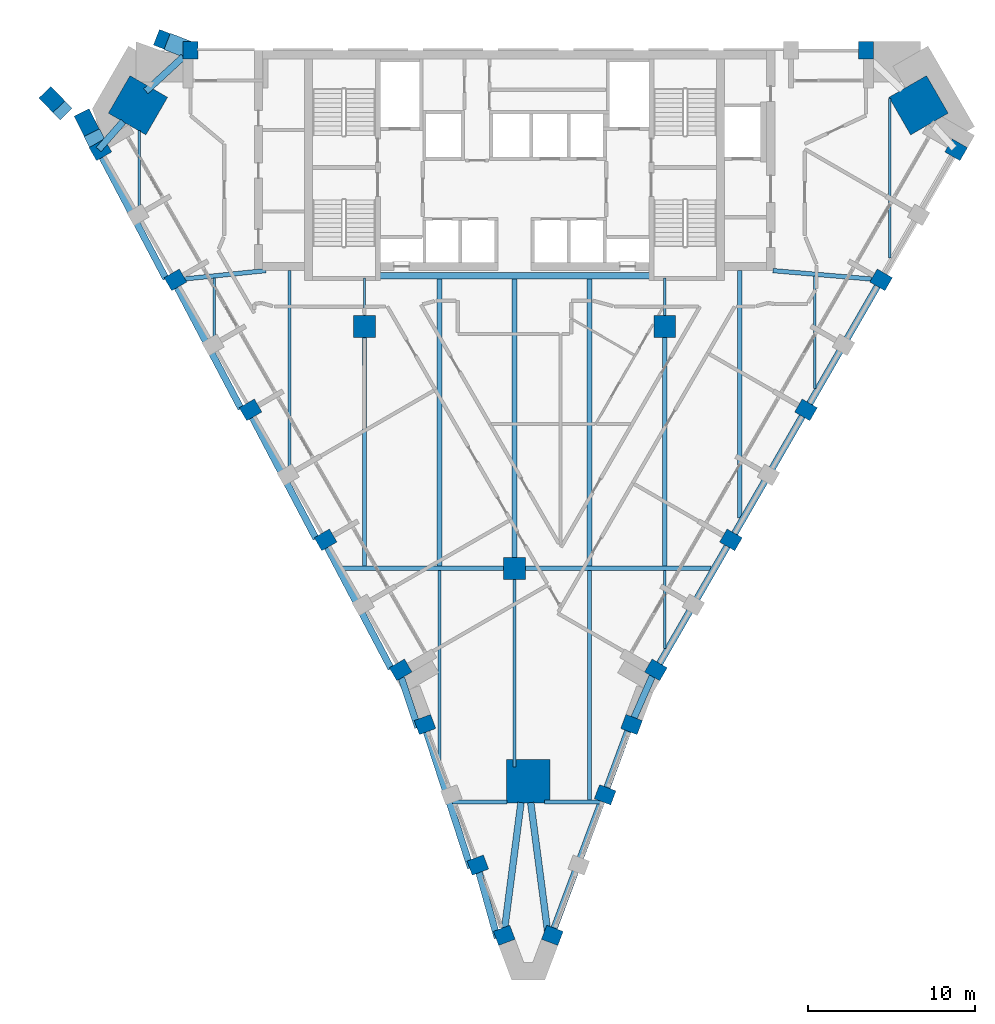
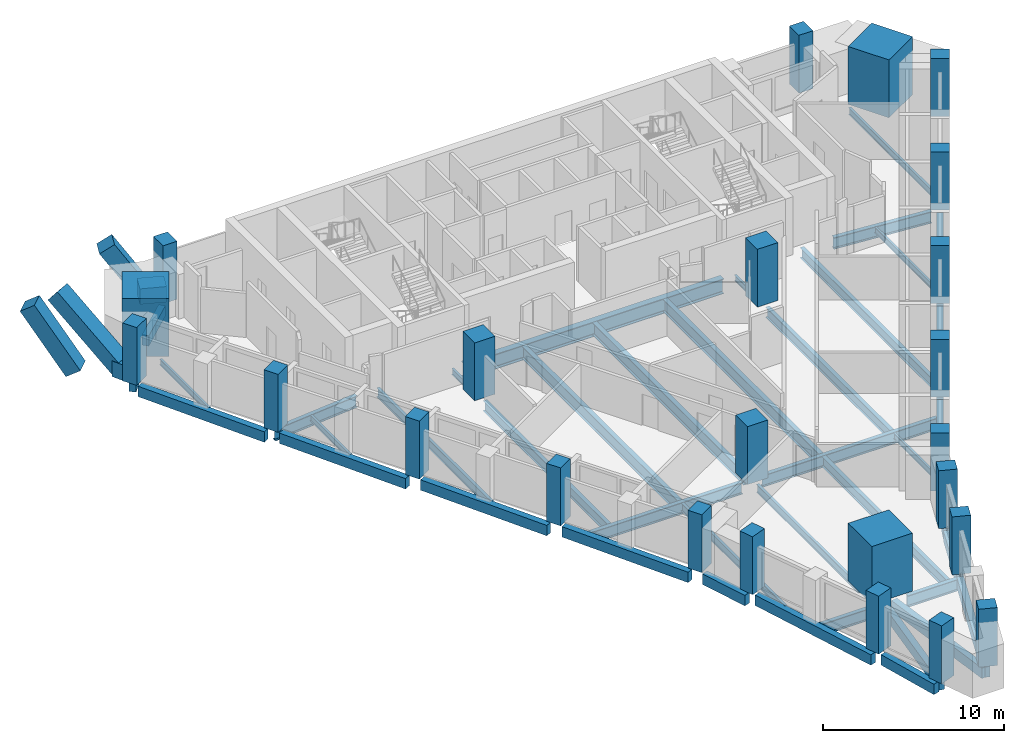
# One storey, part 1 of 10: 43 beams, 27 columns.
"""IFC4 building model written with IfcOpenShell, lengths in metres."""

from ifc_helpers import new_model, si_unit, direction, frame, origin, origin_2d, place, context, subcontext, project, spatial, rectangle, i_section, extrude, material, material_profile, profile_set, type_object, element, save


model = new_model("IFC4")

# Units and contexts
model_context = context("Model", 3, precision=1e-05, world=origin(), true_north=direction((0.0, 1.0)))
body_context = subcontext(model_context, "Body", "Model", "MODEL_VIEW")
ifc_project = project(units=[si_unit("LENGTHUNIT", "METRE"), si_unit("AREAUNIT", "SQUARE_METRE"), si_unit("VOLUMEUNIT", "CUBIC_METRE"), si_unit("PLANEANGLEUNIT", "RADIAN"), si_unit("MASSUNIT", "GRAM", prefix="KILO")], contexts=[model_context])

# Site, building, storey
site_placement = place(None, origin())
site = spatial("IfcSite", under=ifc_project, at=site_placement, CompositionType="ELEMENT")
building_placement = place(site_placement, origin())
building = spatial("IfcBuilding", under=site, at=building_placement, Name="Calabash Gate Tower", CompositionType="ELEMENT")
storey_placement = place(building_placement, frame((0.0, 0.0, 183.60009765625)))
storey = spatial("IfcBuildingStorey", under=building, at=storey_placement, Name="L43", CompositionType="ELEMENT", Elevation=183.60009765625)

# Columns
ifc_material_1 = material(Name="Concrete C70/85", Category="concrete")
ifc_material_profile_1 = material_profile(ifc_material_1, rectangle(XDim=1.300048828125, YDim=1.300048828125, at=origin_2d()))
ifc_profile_set_1 = profile_set([ifc_material_profile_1], Name="Concrete C70/85")
column_type_1 = type_object("IfcColumnType", Name="Interior column RC 1300x1300 Concrete C70/85", PredefinedType="COLUMN", material=ifc_profile_set_1)
for number, where, z_axis, x_axis, name in (
    (1, (-9.0, 2.5, 0.0), (0.0, 0.0, 1.0), (1.0, 0.0, 0.0), "Interior column L43 I0"),
    (2, (9.0, 2.5, 0.0), (0.0, 0.0, 1.0), (1.0, 0.0, 0.0), "Interior column L43 I1"),
    (3, (0.0, -12.0, 0.0), (0.0, 0.0, 1.0), (1.0, 0.0, 0.0), "Interior column L43 I2"),
):
    element("IfcColumn", number, at=place(storey_placement, frame(where, z_axis=z_axis, x_axis=x_axis)), inside=storey, type_object=column_type_1, Name=name, PredefinedType="COLUMN", context=body_context, shape_type="SweptSolid", body=[
        extrude(rectangle(XDim=1.300048828125, YDim=1.300048828125, at=origin_2d()), origin(), (0.0, 0.0, 1.0), 3.89990234375),
    ])
ifc_material_2 = material(Name="Concrete C70/85", Category="concrete")
ifc_material_profile_2 = material_profile(ifc_material_2, rectangle(XDim=2.60009765625, YDim=2.60009765625, at=origin_2d()))
ifc_profile_set_2 = profile_set([ifc_material_profile_2], Name="Concrete C70/85")
column_type_2 = type_object("IfcColumnType", Name="Mega column RC 2600x2600 Concrete C70/85", PredefinedType="COLUMN", material=ifc_profile_set_2)
for number, where, z_axis, x_axis, name in (
    (4, (-22.577880859375, 15.76806640625, 0.0), (0.0, 0.0, 1.0), (0.866025421238, -0.49999996977, 0.0), "Mega column L43 NW"),
    (5, (24.221923828125, 15.76806640625, 0.0), (0.0, 0.0, 1.0), (-0.866025421238, -0.49999996977, 0.0), "Mega column L43 NE"),
    (6, (0.822021484375, -24.762939453125, 0.0), (0.0, 0.0, 1.0), (0.0, 1.0, 0.0), "Mega column L43 S"),
):
    element("IfcColumn", number, at=place(storey_placement, frame(where, z_axis=z_axis, x_axis=x_axis)), inside=storey, type_object=column_type_2, Name=name, PredefinedType="COLUMN", context=body_context, shape_type="SweptSolid", body=[
        extrude(rectangle(XDim=2.60009765625, YDim=2.60009765625, at=origin_2d()), origin(), (0.0, 0.0, 1.0), 3.89990234375),
    ])
ifc_material_3 = material(Name="Concrete C60/75", Category="concrete")
ifc_material_profile_3 = material_profile(ifc_material_3, rectangle(XDim=0.89990234375, YDim=1.050048828125, at=origin_2d()))
ifc_profile_set_3 = profile_set([ifc_material_profile_3], Name="Concrete C60/75")
column_type_3 = type_object("IfcColumnType", Name="Perimeter column RC 900x1050 Concrete C60/75", PredefinedType="COLUMN", material=ifc_profile_set_3)
for number, where, z_axis, x_axis, name in (
    (7, (-24.827880859375, 13.096923828125, 0.0), (0.0, 0.0, 1.0), (0.5, -0.866025403784, 0.0), "Perimeter column L43 P20"),
    (8, (-20.327880859375, 5.300048828125, 0.0), (0.0, 0.0, 1.0), (0.5, -0.866025403784, 0.0), "Perimeter column L43 P00"),
    (9, (-15.827880859375, -2.493896484375, 0.0), (0.0, 0.0, 1.0), (0.5, -0.866025403784, 0.0), "Perimeter column L43 P01"),
    (10, (-11.327880859375, -10.2880859375, 0.0), (0.0, 0.0, 1.0), (0.5, -0.866025403784, 0.0), "Perimeter column L43 P02"),
    (11, (-6.827880859375, -18.08203125, 0.0), (0.0, 0.0, 1.0), (0.5, -0.866025403784, 0.0), "Perimeter column L43 P03"),
    (12, (-5.3701171875, -21.35888671875, 0.0), (0.0, 0.0, 1.0), (0.351822500991, -0.936066732555, 0.0), "Perimeter column L43 P25"),
    (13, (-2.202880859375, -29.783935546875, 0.0), (0.0, 0.0, 1.0), (0.351822500991, -0.936066732555, 0.0), "Perimeter column L43 P26"),
    (14, (-0.6201171875, -33.99609375, 0.0), (0.0, 0.0, 1.0), (0.351822500991, -0.936066732555, 0.0), "Perimeter column L43 P27"),
    (15, (2.263916015625, -33.99609375, 0.0), (0.0, 0.0, 1.0), (0.351822451979, 0.936066750977, 0.0), "Perimeter column L43 P28"),
    (16, (5.429931640625, -25.571044921875, 0.0), (0.0, 0.0, 1.0), (0.351822451979, 0.936066750977, 0.0), "Perimeter column L43 P08"),
    (17, (7.012939453125, -21.35888671875, 0.0), (0.0, 0.0, 1.0), (0.351822451979, 0.936066750977, 0.0), "Perimeter column L43 P29"),
    (18, (8.471923828125, -18.08203125, 0.0), (0.0, 0.0, 1.0), (0.5, 0.866025403784, 0.0), "Perimeter column L43 P09"),
    (19, (12.971923828125, -10.2880859375, 0.0), (0.0, 0.0, 1.0), (0.5, 0.866025403784, 0.0), "Perimeter column L43 P10"),
    (20, (17.471923828125, -2.493896484375, 0.0), (0.0, 0.0, 1.0), (0.5, 0.866025403784, 0.0), "Perimeter column L43 P11"),
    (21, (21.971923828125, 5.300048828125, 0.0), (0.0, 0.0, 1.0), (0.5, 0.866025403784, 0.0), "Perimeter column L43 P12"),
    (22, (26.471923828125, 13.096923828125, 0.0), (0.0, 0.0, 1.0), (0.5, 0.866025403784, 0.0), "Perimeter column L43 P13"),
    (23, (21.072021484375, 19.052978515625, 0.0), (0.0, 0.0, 1.0), (-1.0, 0.0, 0.0), "Perimeter column L43 P24"),
    (24, (-19.427978515625, 19.052978515625, 0.0), (0.0, 0.0, 1.0), (-1.0, 0.0, 0.0), "Perimeter column L43 P17"),
):
    element("IfcColumn", number, at=place(storey_placement, frame(where, z_axis=z_axis, x_axis=x_axis)), inside=storey, type_object=column_type_3, Name=name, PredefinedType="COLUMN", context=body_context, shape_type="SweptSolid", body=[
        extrude(rectangle(XDim=0.89990234375, YDim=1.050048828125, at=origin_2d()), origin(), (0.0, 0.0, 1.0), 3.89990234375),
    ])
ifc_material_4 = material(Name="Concrete C80/95", Category="concrete")
ifc_material_profile_4 = material_profile(ifc_material_4, rectangle(XDim=1.0, YDim=1.0, at=origin_2d()))
ifc_profile_set_4 = profile_set([ifc_material_profile_4], Name="Concrete C80/95")
column_type_4 = type_object("IfcColumnType", Name="Prow kicker column RC 1000x1000 Concrete C80/95", PredefinedType="COLUMN", material=ifc_profile_set_4)
column_1_placement = place(storey_placement, frame((-20.416015625, 19.43701171875, 0.369873046875), z_axis=(-0.503778090489, 0.196356514078, 0.841220396164), x_axis=(0.7837883868, -0.305495531291, 0.540692375642)))
element("IfcColumn", 25, at=column_1_placement, inside=storey, type_object=column_type_4, Name="Prow kicker column L43 KP32", PredefinedType="COLUMN", context=body_context, shape_type="SweptSolid", body=[
    extrude(rectangle(XDim=1.0, YDim=1.0, at=origin_2d()), origin(), (0.0, 0.0, 1.0), 4.1962890625),
])
column_2_placement = place(storey_placement, frame((-25.197021484375, 13.8291015625, 0.489990234375), z_axis=(-0.350390979549, 0.697334903339, 0.625260101107), x_axis=(0.280728967975, -0.55869619703, 0.780416431121)))
element("IfcColumn", 26, at=column_2_placement, inside=storey, type_object=column_type_4, Name="Prow kicker column L43 KP33", PredefinedType="COLUMN", context=body_context, shape_type="SweptSolid", body=[
    extrude(rectangle(XDim=1.0, YDim=1.0, at=origin_2d()), origin(), (0.0, 0.0, 1.0), 5.45361328125),
])
column_3_placement = place(storey_placement, frame((-27.173095703125, 15.531005859375, 0.0), z_axis=(-0.388425917472, 0.402900450793, 0.82873188269), x_axis=(0.575186874747, -0.596620978935, 0.559645840343)))
element("IfcColumn", 27, at=column_3_placement, inside=storey, type_object=column_type_4, Name="Prow kicker column L43 KP34", PredefinedType="COLUMN", context=body_context, shape_type="SweptSolid", body=[
    extrude(rectangle(XDim=1.0, YDim=1.0, at=origin_2d()), origin(), (0.0, 0.0, 1.0), 4.705810546875),
])

# Beams
ifc_material_5 = material(Name="Concrete C50/60", Category="concrete")
ifc_material_profile_5 = material_profile(ifc_material_5, rectangle(XDim=0.39990234375, YDim=0.699951171875, at=origin_2d()))
ifc_profile_set_5 = profile_set([ifc_material_profile_5], Name="Concrete C50/60")
beam_type_1 = type_object("IfcBeamType", Name="Edge beam RC 400x700 Concrete C50/60", PredefinedType="BEAM", material=ifc_profile_set_5)
for number, where, z_axis, x_axis, name in (
    (28, (-15.73291015625, -2.927978515625, -0.52001953125), (0.465570473205, -0.885010810374, 0.0), (0.885010810374, 0.465570473205, 0.0), "Edge beam L43 1"),
    (29, (-11.23291015625, -10.721923828125, -0.52001953125), (0.465570473205, -0.885010810374, 0.0), (0.885010810374, 0.465570473205, 0.0), "Edge beam L43 2"),
):
    element("IfcBeam", number, at=place(storey_placement, frame(where, z_axis=z_axis, x_axis=x_axis)), inside=storey, type_object=beam_type_1, Name=name, PredefinedType="BEAM", context=body_context, shape_type="SweptSolid", body=[
        extrude(rectangle(XDim=0.39990234375, YDim=0.699951171875, at=origin_2d()), origin(), (0.0, 0.0, 1.0), 8.235107421875),
    ])
beam_1_placement = place(storey_placement, frame((-6.7880859375, -18.56103515625, -0.52001953125), z_axis=(0.316134210582, -0.94871447807, 0.0), x_axis=(0.94871447807, 0.316134210582, 0.0)))
element("IfcBeam", 30, at=beam_1_placement, inside=storey, type_object=beam_type_1, Name="Edge beam L43 3", PredefinedType="BEAM", context=body_context, shape_type="SweptSolid", body=[
    extrude(rectangle(XDim=0.39990234375, YDim=0.699951171875, at=origin_2d()), origin(), (0.0, 0.0, 1.0), 3.131591796875),
])
beam_2_placement = place(storey_placement, frame((-5.285888671875, -21.780029296875, -0.52001953125), z_axis=(0.309062313069, -0.951041790165, 0.0), x_axis=(0.951041790165, 0.309062313069, 0.0)))
element("IfcBeam", 31, at=beam_2_placement, inside=storey, type_object=beam_type_1, Name="Edge beam L43 4", PredefinedType="BEAM", context=body_context, shape_type="SweptSolid", body=[
    extrude(rectangle(XDim=0.39990234375, YDim=0.699951171875, at=origin_2d()), origin(), (0.0, 0.0, 1.0), 8.596923828125),
])
beam_3_placement = place(storey_placement, frame((-2.132080078125, -30.220947265625, -0.52001953125), z_axis=(0.269266074932, -0.963065823758, 0.0), x_axis=(0.963065823758, 0.269266074932, 0.0)))
element("IfcBeam", 32, at=beam_3_placement, inside=storey, type_object=beam_type_1, Name="Edge beam L43 5", PredefinedType="BEAM", context=body_context, shape_type="SweptSolid", body=[
    extrude(rectangle(XDim=0.39990234375, YDim=0.699951171875, at=origin_2d()), origin(), (0.0, 0.0, 1.0), 4.08203125),
])
beam_4_placement = place(storey_placement, frame((-0.64794921875, -34.009033203125, -0.52001953125), z_axis=(0.128673439802, 0.991687020128, 0.0), x_axis=(-0.991687020128, 0.128673439802, 0.0)))
element("IfcBeam", 33, at=beam_4_placement, inside=storey, type_object=beam_type_1, Name="Edge beam L43 6", PredefinedType="BEAM", context=body_context, shape_type="SweptSolid", body=[
    extrude(rectangle(XDim=0.39990234375, YDim=0.699951171875, at=origin_2d()), origin(), (0.0, 0.0, 1.0), 8.04296875),
])
beam_5_placement = place(storey_placement, frame((0.968994140625, -26.032958984375, -0.52001953125), z_axis=(0.130054637387, -0.991506828667, 0.0), x_axis=(0.991506828667, 0.130054637387, 0.0)))
element("IfcBeam", 34, at=beam_5_placement, inside=storey, type_object=beam_type_1, Name="Edge beam L43 7", PredefinedType="BEAM", context=body_context, shape_type="SweptSolid", body=[
    extrude(rectangle(XDim=0.39990234375, YDim=0.699951171875, at=origin_2d()), origin(), (0.0, 0.0, 1.0), 8.212890625),
])
beam_6_placement = place(storey_placement, frame((2.136962890625, -34.20703125, -0.52001953125), z_axis=(0.349607583285, 0.936896225689, 0.0), x_axis=(-0.936896225689, 0.349607583285, 0.0)))
element("IfcBeam", 35, at=beam_6_placement, inside=storey, type_object=beam_type_1, Name="Edge beam L43 8", PredefinedType="BEAM", context=body_context, shape_type="SweptSolid", body=[
    extrude(rectangle(XDim=0.39990234375, YDim=0.699951171875, at=origin_2d()), origin(), (0.0, 0.0, 1.0), 8.81005859375),
])
beam_7_placement = place(storey_placement, frame((5.302978515625, -25.781982421875, -0.52001953125), z_axis=(0.346996920435, 0.937866268296, 0.0), x_axis=(-0.937866268296, 0.346996920435, 0.0)))
element("IfcBeam", 36, at=beam_7_placement, inside=storey, type_object=beam_type_1, Name="Edge beam L43 9", PredefinedType="BEAM", context=body_context, shape_type="SweptSolid", body=[
    extrude(rectangle(XDim=0.39990234375, YDim=0.699951171875, at=origin_2d()), origin(), (0.0, 0.0, 1.0), 4.308837890625),
])
beam_8_placement = place(storey_placement, frame((6.884033203125, -21.5791015625, -0.52001953125), z_axis=(0.403341784402, 0.915049400282, 0.0), x_axis=(-0.915049400282, 0.403341784402, 0.0)))
element("IfcBeam", 37, at=beam_8_placement, inside=storey, type_object=beam_type_1, Name="Edge beam L43 10", PredefinedType="BEAM", context=body_context, shape_type="SweptSolid", body=[
    extrude(rectangle(XDim=0.39990234375, YDim=0.699951171875, at=origin_2d()), origin(), (0.0, 0.0, 1.0), 3.404296875),
])
beam_9_placement = place(storey_placement, frame((8.48095703125, -18.06689453125, -0.52001953125), z_axis=(0.499855959696, 0.866108549523, 0.0), x_axis=(-0.866108549523, 0.499855959696, 0.0)))
element("IfcBeam", 38, at=beam_9_placement, inside=storey, type_object=beam_type_1, Name="Edge beam L43 11", PredefinedType="BEAM", context=body_context, shape_type="SweptSolid", body=[
    extrude(rectangle(XDim=0.39990234375, YDim=0.699951171875, at=origin_2d()), origin(), (0.0, 0.0, 1.0), 8.54833984375),
])
beam_10_placement = place(storey_placement, frame((12.98095703125, -10.27197265625, -0.52001953125), z_axis=(0.500004369671, 0.866022880939, 0.0), x_axis=(-0.866022880939, 0.500004369671, 0.0)))
element("IfcBeam", 39, at=beam_10_placement, inside=storey, type_object=beam_type_1, Name="Edge beam L43 12", PredefinedType="BEAM", context=body_context, shape_type="SweptSolid", body=[
    extrude(rectangle(XDim=0.39990234375, YDim=0.699951171875, at=origin_2d()), origin(), (0.0, 0.0, 1.0), 8.5458984375),
])
beam_11_placement = place(storey_placement, frame((17.48095703125, -2.47802734375, -0.52001953125), z_axis=(0.499991999368, 0.866030022902, 0.0), x_axis=(-0.866030022902, 0.499991999368, 0.0)))
element("IfcBeam", 40, at=beam_11_placement, inside=storey, type_object=beam_type_1, Name="Edge beam L43 13", PredefinedType="BEAM", context=body_context, shape_type="SweptSolid", body=[
    extrude(rectangle(XDim=0.39990234375, YDim=0.699951171875, at=origin_2d()), origin(), (0.0, 0.0, 1.0), 8.546142578125),
])
beam_12_placement = place(storey_placement, frame((-19.860107421875, 18.6708984375, -0.52001953125), z_axis=(-0.735999636609, -0.676981931008, 0.0), x_axis=(0.676981931008, -0.735999636609, 0.0)))
element("IfcBeam", 41, at=beam_12_placement, inside=storey, type_object=beam_type_1, Name="Edge beam L43 17", PredefinedType="BEAM", context=body_context, shape_type="SweptSolid", body=[
    extrude(rectangle(XDim=0.39990234375, YDim=0.699951171875, at=origin_2d()), origin(), (0.0, 0.0, 1.0), 3.048828125),
])
beam_13_placement = place(storey_placement, frame((-23.4580078125, 14.797119140625, -0.52001953125), z_axis=(-0.660495074978, -0.750830377602, 0.0), x_axis=(0.750830377602, -0.660495074978, 0.0)))
element("IfcBeam", 42, at=beam_13_placement, inside=storey, type_object=beam_type_1, Name="Edge beam L43 18", PredefinedType="BEAM", context=body_context, shape_type="SweptSolid", body=[
    extrude(rectangle(XDim=0.39990234375, YDim=0.699951171875, at=origin_2d()), origin(), (0.0, 0.0, 1.0), 2.23779296875),
])
for number, where, z_axis, x_axis, name in (
    (43, (-24.73291015625, 12.660888671875, -0.52001953125), (0.465582688922, -0.885004384043, 0.0), (0.885004384043, 0.465582688922, 0.0), "Edge beam L43 19"),
    (44, (-20.23291015625, 4.866943359375, -0.52001953125), (0.465582688922, -0.885004384043, 0.0), (0.885004384043, 0.465582688922, 0.0), "Edge beam L43 20"),
):
    element("IfcBeam", number, at=place(storey_placement, frame(where, z_axis=z_axis, x_axis=x_axis)), inside=storey, type_object=beam_type_1, Name=name, PredefinedType="BEAM", context=body_context, shape_type="SweptSolid", body=[
        extrude(rectangle(XDim=0.39990234375, YDim=0.699951171875, at=origin_2d()), origin(), (0.0, 0.0, 1.0), 8.23486328125),
    ])
ifc_material_6 = material(Name="Steel ASTM A992 Gr50", Category="steel")
ifc_material_profile_6 = material_profile(ifc_material_6, i_section(OverallWidth=0.1396484375, OverallDepth=0.398681640625, WebThickness=0.00634765625, FlangeThickness=0.0087890625, FilletRadius=0.01025390625, at=origin_2d()))
ifc_profile_set_6 = profile_set([ifc_material_profile_6], Name="Steel ASTM A992 Gr50")
beam_type_2 = type_object("IfcBeamType", Name="Floor beam W16x26 ASTM A992 Gr50", PredefinedType="BEAM", material=ifc_profile_set_6)
beam_14_placement = place(storey_placement, frame((-22.5, 8.830078125, -0.369140625), z_axis=(0.0, 1.0, 0.0), x_axis=(-1.0, 0.0, 0.0)))
element("IfcBeam", 45, at=beam_14_placement, inside=storey, type_object=beam_type_2, Name="Floor beam L43 1", PredefinedType="BEAM", context=body_context, shape_type="SweptSolid", body=[
    extrude(i_section(OverallWidth=0.1396484375, OverallDepth=0.398681640625, WebThickness=0.00634765625, FlangeThickness=0.0087890625, FilletRadius=0.01025390625, at=origin_2d()), origin(), (0.0, 0.0, 1.0), 5.410888671875),
])
beam_15_placement = place(storey_placement, frame((-18.0, 1.035888671875, -0.369140625), z_axis=(0.0, 1.0, 0.0), x_axis=(-1.0, 0.0, 0.0)))
element("IfcBeam", 46, at=beam_15_placement, inside=storey, type_object=beam_type_2, Name="Floor beam L43 2", PredefinedType="BEAM", context=body_context, shape_type="SweptSolid", body=[
    extrude(i_section(OverallWidth=0.1396484375, OverallDepth=0.398681640625, WebThickness=0.00634765625, FlangeThickness=0.0087890625, FilletRadius=0.01025390625, at=origin_2d()), origin(), (0.0, 0.0, 1.0), 4.39111328125),
])
beam_16_placement = place(storey_placement, frame((-9.0, 3.14990234375, -0.369140625), z_axis=(0.0, 1.0, 0.0), x_axis=(-1.0, 0.0, 0.0)))
element("IfcBeam", 47, at=beam_16_placement, inside=storey, type_object=beam_type_2, Name="Floor beam L43 5", PredefinedType="BEAM", context=body_context, shape_type="SweptSolid", body=[
    extrude(i_section(OverallWidth=0.1396484375, OverallDepth=0.398681640625, WebThickness=0.00634765625, FlangeThickness=0.0087890625, FilletRadius=0.01025390625, at=origin_2d()), origin(), (0.0, 0.0, 1.0), 2.253173828125),
])
beam_17_placement = place(storey_placement, frame((9.0, -16.799072265625, -0.369140625), z_axis=(0.0, 1.0, 0.0), x_axis=(-1.0, 0.0, 0.0)))
element("IfcBeam", 48, at=beam_17_placement, inside=storey, type_object=beam_type_2, Name="Floor beam L43 12", PredefinedType="BEAM", context=body_context, shape_type="SweptSolid", body=[
    extrude(i_section(OverallWidth=0.1396484375, OverallDepth=0.398681640625, WebThickness=0.00634765625, FlangeThickness=0.0087890625, FilletRadius=0.01025390625, at=origin_2d()), origin(), (0.0, 0.0, 1.0), 4.666015625),
])
beam_18_placement = place(storey_placement, frame((9.0, 3.14990234375, -0.369140625), z_axis=(0.0, 1.0, 0.0), x_axis=(-1.0, 0.0, 0.0)))
element("IfcBeam", 49, at=beam_18_placement, inside=storey, type_object=beam_type_2, Name="Floor beam L43 14", PredefinedType="BEAM", context=body_context, shape_type="SweptSolid", body=[
    extrude(i_section(OverallWidth=0.1396484375, OverallDepth=0.398681640625, WebThickness=0.00634765625, FlangeThickness=0.0087890625, FilletRadius=0.01025390625, at=origin_2d()), origin(), (0.0, 0.0, 1.0), 2.253173828125),
])
beam_19_placement = place(storey_placement, frame((18.0, -1.2109375, -0.369140625), z_axis=(0.0, 1.0, 0.0), x_axis=(-1.0, 0.0, 0.0)))
element("IfcBeam", 50, at=beam_19_placement, inside=storey, type_object=beam_type_2, Name="Floor beam L43 16", PredefinedType="BEAM", context=body_context, shape_type="SweptSolid", body=[
    extrude(i_section(OverallWidth=0.1396484375, OverallDepth=0.398681640625, WebThickness=0.00634765625, FlangeThickness=0.0087890625, FilletRadius=0.01025390625, at=origin_2d()), origin(), (0.0, 0.0, 1.0), 6.739013671875),
])
ifc_material_7 = material(Name="Steel ASTM A992 Gr50", Category="steel")
ifc_material_profile_7 = material_profile(ifc_material_7, i_section(OverallWidth=0.15234375, OverallDepth=0.44970703125, WebThickness=0.007568359375, FlangeThickness=0.0107421875, FilletRadius=0.01025390625, at=origin_2d()))
ifc_profile_set_7 = profile_set([ifc_material_profile_7], Name="Steel ASTM A992 Gr50")
beam_type_3 = type_object("IfcBeamType", Name="Floor beam W18x35 ASTM A992 Gr50", PredefinedType="BEAM", material=ifc_profile_set_7)
beam_20_placement = place(storey_placement, frame((22.5, 6.60302734375, -0.39306640625), z_axis=(0.0, 1.0, 0.0), x_axis=(-1.0, 0.0, 0.0)))
element("IfcBeam", 51, at=beam_20_placement, inside=storey, type_object=beam_type_3, Name="Floor beam L43 17", PredefinedType="BEAM", context=body_context, shape_type="SweptSolid", body=[
    extrude(i_section(OverallWidth=0.15234375, OverallDepth=0.44970703125, WebThickness=0.007568359375, FlangeThickness=0.0107421875, FilletRadius=0.01025390625, at=origin_2d()), origin(), (0.0, 0.0, 1.0), 9.573974609375),
])
ifc_material_8 = material(Name="Steel ASTM A992 Gr50", Category="steel")
ifc_material_profile_8 = material_profile(ifc_material_8, i_section(OverallWidth=0.166015625, OverallDepth=0.5283203125, WebThickness=0.009765625, FlangeThickness=0.013671875, FilletRadius=0.0126953125, at=origin_2d()))
ifc_profile_set_8 = profile_set([ifc_material_profile_8], Name="Steel ASTM A992 Gr50")
beam_type_4 = type_object("IfcBeamType", Name="Floor beam W21x50 ASTM A992 Gr50", PredefinedType="BEAM", material=ifc_profile_set_8)
beam_21_placement = place(storey_placement, frame((-4.5, -23.568115234375, -0.43408203125), z_axis=(0.0, 1.0, 0.0), x_axis=(-1.0, 0.0, 0.0)))
element("IfcBeam", 52, at=beam_21_placement, inside=storey, type_object=beam_type_4, Name="Floor beam L43 6", PredefinedType="BEAM", context=body_context, shape_type="SweptSolid", body=[
    extrude(i_section(OverallWidth=0.166015625, OverallDepth=0.5283203125, WebThickness=0.009765625, FlangeThickness=0.013671875, FilletRadius=0.0126953125, at=origin_2d()), origin(), (0.0, 0.0, 1.0), 11.43505859375),
])
beam_22_placement = place(storey_placement, frame((0.0, -23.89306640625, -0.43408203125), z_axis=(0.0, 1.0, 0.0), x_axis=(-1.0, 0.0, 0.0)))
element("IfcBeam", 53, at=beam_22_placement, inside=storey, type_object=beam_type_4, Name="Floor beam L43 8", PredefinedType="BEAM", context=body_context, shape_type="SweptSolid", body=[
    extrude(i_section(OverallWidth=0.166015625, OverallDepth=0.5283203125, WebThickness=0.009765625, FlangeThickness=0.013671875, FilletRadius=0.0126953125, at=origin_2d()), origin(), (0.0, 0.0, 1.0), 11.2431640625),
])
ifc_material_9 = material(Name="Steel ASTM A992 Gr50", Category="steel")
ifc_material_profile_9 = material_profile(ifc_material_9, i_section(OverallWidth=0.1787109375, OverallDepth=0.60205078125, WebThickness=0.010986328125, FlangeThickness=0.014892578125, FilletRadius=0.0126953125, at=origin_2d()))
ifc_profile_set_9 = profile_set([ifc_material_profile_9], Name="Steel ASTM A992 Gr50")
beam_type_5 = type_object("IfcBeamType", Name="Floor beam W24x62 ASTM A992 Gr50", PredefinedType="BEAM", material=ifc_profile_set_9)
beam_23_placement = place(storey_placement, frame((-13.5, -6.758056640625, -0.47119140625), z_axis=(0.0, 1.0, 0.0), x_axis=(-1.0, 0.0, 0.0)))
element("IfcBeam", 54, at=beam_23_placement, inside=storey, type_object=beam_type_5, Name="Floor beam L43 3", PredefinedType="BEAM", context=body_context, shape_type="SweptSolid", body=[
    extrude(i_section(OverallWidth=0.1787109375, OverallDepth=0.60205078125, WebThickness=0.010986328125, FlangeThickness=0.014892578125, FilletRadius=0.0126953125, at=origin_2d()), origin(), (0.0, 0.0, 1.0), 12.611083984375),
])
ifc_material_10 = material(Name="Steel ASTM A992 Gr50", Category="steel")
ifc_material_profile_10 = material_profile(ifc_material_10, i_section(OverallWidth=0.25390625, OverallDepth=0.67822265625, WebThickness=0.01171875, FlangeThickness=0.016357421875, FilletRadius=0.01513671875, at=origin_2d()))
ifc_profile_set_10 = profile_set([ifc_material_profile_10], Name="Steel ASTM A992 Gr50")
beam_type_6 = type_object("IfcBeamType", Name="Floor beam W27x84 ASTM A992 Gr50", PredefinedType="BEAM", material=ifc_profile_set_10)
beam_24_placement = place(storey_placement, frame((-9.0, -11.866943359375, -0.509033203125), z_axis=(0.0, 1.0, 0.0), x_axis=(-1.0, 0.0, 0.0)))
element("IfcBeam", 55, at=beam_24_placement, inside=storey, type_object=beam_type_6, Name="Floor beam L43 4", PredefinedType="BEAM", context=body_context, shape_type="SweptSolid", body=[
    extrude(i_section(OverallWidth=0.25390625, OverallDepth=0.67822265625, WebThickness=0.01171875, FlangeThickness=0.016357421875, FilletRadius=0.01513671875, at=origin_2d()), origin(), (0.0, 0.0, 1.0), 13.717041015625),
])
beam_25_placement = place(storey_placement, frame((4.5, -25.866943359375, -0.509033203125), z_axis=(0.0, 1.0, 0.0), x_axis=(-1.0, 0.0, 0.0)))
element("IfcBeam", 56, at=beam_25_placement, inside=storey, type_object=beam_type_6, Name="Floor beam L43 10", PredefinedType="BEAM", context=body_context, shape_type="SweptSolid", body=[
    extrude(i_section(OverallWidth=0.25390625, OverallDepth=0.67822265625, WebThickness=0.01171875, FlangeThickness=0.016357421875, FilletRadius=0.01513671875, at=origin_2d()), origin(), (0.0, 0.0, 1.0), 13.73388671875),
])
beam_26_placement = place(storey_placement, frame((9.0, -11.866943359375, -0.509033203125), z_axis=(0.0, 1.0, 0.0), x_axis=(-1.0, 0.0, 0.0)))
element("IfcBeam", 57, at=beam_26_placement, inside=storey, type_object=beam_type_6, Name="Floor beam L43 13", PredefinedType="BEAM", context=body_context, shape_type="SweptSolid", body=[
    extrude(i_section(OverallWidth=0.25390625, OverallDepth=0.67822265625, WebThickness=0.01171875, FlangeThickness=0.016357421875, FilletRadius=0.01513671875, at=origin_2d()), origin(), (0.0, 0.0, 1.0), 13.717041015625),
])
beam_27_placement = place(storey_placement, frame((13.5, -8.98291015625, -0.509033203125), z_axis=(0.0, 1.0, 0.0), x_axis=(-1.0, 0.0, 0.0)))
element("IfcBeam", 58, at=beam_27_placement, inside=storey, type_object=beam_type_6, Name="Floor beam L43 15", PredefinedType="BEAM", context=body_context, shape_type="SweptSolid", body=[
    extrude(i_section(OverallWidth=0.25390625, OverallDepth=0.67822265625, WebThickness=0.01171875, FlangeThickness=0.016357421875, FilletRadius=0.01513671875, at=origin_2d()), origin(), (0.0, 0.0, 1.0), 14.8359375),
])
ifc_material_11 = material(Name="Steel ASTM A992 Gr50", Category="steel")
ifc_material_profile_11 = material_profile(ifc_material_11, i_section(OverallWidth=0.2919921875, OverallDepth=0.845703125, WebThickness=0.015380859375, FlangeThickness=0.0244140625, FilletRadius=0.017822265625, at=origin_2d()))
ifc_profile_set_11 = profile_set([ifc_material_profile_11], Name="Steel ASTM A992 Gr50")
beam_type_7 = type_object("IfcBeamType", Name="Floor beam W33x141 ASTM A992 Gr50", PredefinedType="BEAM", material=ifc_profile_set_11)
beam_28_placement = place(storey_placement, frame((-4.5, -11.866943359375, -0.593017578125), z_axis=(0.0, 1.0, 0.0), x_axis=(-1.0, 0.0, 0.0)))
element("IfcBeam", 59, at=beam_28_placement, inside=storey, type_object=beam_type_7, Name="Floor beam L43 7", PredefinedType="BEAM", context=body_context, shape_type="SweptSolid", body=[
    extrude(i_section(OverallWidth=0.2919921875, OverallDepth=0.845703125, WebThickness=0.015380859375, FlangeThickness=0.0244140625, FilletRadius=0.017822265625, at=origin_2d()), origin(), (0.0, 0.0, 1.0), 17.218994140625),
])
beam_29_placement = place(storey_placement, frame((0.0, -11.35009765625, -0.593017578125), z_axis=(0.0, 1.0, 0.0), x_axis=(-1.0, 0.0, 0.0)))
element("IfcBeam", 60, at=beam_29_placement, inside=storey, type_object=beam_type_7, Name="Floor beam L43 9", PredefinedType="BEAM", context=body_context, shape_type="SweptSolid", body=[
    extrude(i_section(OverallWidth=0.2919921875, OverallDepth=0.845703125, WebThickness=0.015380859375, FlangeThickness=0.0244140625, FilletRadius=0.017822265625, at=origin_2d()), origin(), (0.0, 0.0, 1.0), 16.7021484375),
])
beam_30_placement = place(storey_placement, frame((4.5, -11.866943359375, -0.593017578125), z_axis=(0.0, 1.0, 0.0), x_axis=(-1.0, 0.0, 0.0)))
element("IfcBeam", 61, at=beam_30_placement, inside=storey, type_object=beam_type_7, Name="Floor beam L43 11", PredefinedType="BEAM", context=body_context, shape_type="SweptSolid", body=[
    extrude(i_section(OverallWidth=0.2919921875, OverallDepth=0.845703125, WebThickness=0.015380859375, FlangeThickness=0.0244140625, FilletRadius=0.017822265625, at=origin_2d()), origin(), (0.0, 0.0, 1.0), 17.218994140625),
])
ifc_material_12 = material(Name="Steel ASTM A992 Gr50", Category="steel")
ifc_material_profile_12 = material_profile(ifc_material_12, i_section(OverallWidth=0.2666015625, OverallDepth=0.77978515625, WebThickness=0.0166015625, FlangeThickness=0.030029296875, FilletRadius=0.0166015625, at=origin_2d()))
ifc_profile_set_12 = profile_set([ifc_material_profile_12], Name="Steel ASTM A992 Gr50")
beam_type_8 = type_object("IfcBeamType", Name="Girder W30x148 ASTM A992 Gr50", PredefinedType="BEAM", material=ifc_profile_set_12)
beam_31_placement = place(storey_placement, frame((-20.424072265625, 5.291015625, -0.56005859375), z_axis=(0.99481137357, 0.101736576587, 0.0), x_axis=(-0.101736576587, 0.99481137357, 0.0)))
element("IfcBeam", 62, at=beam_31_placement, inside=storey, type_object=beam_type_8, Name="Girder L43 2", PredefinedType="BEAM", context=body_context, shape_type="SweptSolid", body=[
    extrude(i_section(OverallWidth=0.2666015625, OverallDepth=0.77978515625, WebThickness=0.0166015625, FlangeThickness=0.030029296875, FilletRadius=0.0166015625, at=origin_2d()), origin(), (0.0, 0.0, 1.0), 5.552978515625),
])
beam_32_placement = place(storey_placement, frame((21.426025390625, 5.346923828125, -0.56005859375), z_axis=(-0.996372402391, 0.085100151319, 0.0), x_axis=(-0.085100151319, -0.996372402391, 0.0)))
element("IfcBeam", 63, at=beam_32_placement, inside=storey, type_object=beam_type_8, Name="Girder L43 3", PredefinedType="BEAM", context=body_context, shape_type="SweptSolid", body=[
    extrude(i_section(OverallWidth=0.2666015625, OverallDepth=0.77978515625, WebThickness=0.0166015625, FlangeThickness=0.030029296875, FilletRadius=0.0166015625, at=origin_2d()), origin(), (0.0, 0.0, 1.0), 5.958740234375),
])
beam_33_placement = place(storey_placement, frame((-10.35009765625, -12.0, -0.56005859375), z_axis=(1.0, 0.0, 0.0), x_axis=(0.0, 1.0, 0.0)))
element("IfcBeam", 64, at=beam_33_placement, inside=storey, type_object=beam_type_8, Name="Girder L43 4", PredefinedType="BEAM", context=body_context, shape_type="SweptSolid", body=[
    extrude(i_section(OverallWidth=0.2666015625, OverallDepth=0.77978515625, WebThickness=0.0166015625, FlangeThickness=0.030029296875, FilletRadius=0.0166015625, at=origin_2d()), origin(), (0.0, 0.0, 1.0), 9.7001953125),
])
beam_34_placement = place(storey_placement, frame((0.64990234375, -12.0, -0.56005859375), z_axis=(1.0, 0.0, 0.0), x_axis=(0.0, 1.0, 0.0)))
element("IfcBeam", 65, at=beam_34_placement, inside=storey, type_object=beam_type_8, Name="Girder L43 5", PredefinedType="BEAM", context=body_context, shape_type="SweptSolid", body=[
    extrude(i_section(OverallWidth=0.2666015625, OverallDepth=0.77978515625, WebThickness=0.0166015625, FlangeThickness=0.030029296875, FilletRadius=0.0166015625, at=origin_2d()), origin(), (0.0, 0.0, 1.0), 11.123046875),
])
beam_35_placement = place(storey_placement, frame((-3.72998046875, -26.0, -0.56005859375), z_axis=(1.0, 0.0, 0.0), x_axis=(0.0, 1.0, 0.0)))
element("IfcBeam", 66, at=beam_35_placement, inside=storey, type_object=beam_type_8, Name="Girder L43 6", PredefinedType="BEAM", context=body_context, shape_type="SweptSolid", body=[
    extrude(i_section(OverallWidth=0.2666015625, OverallDepth=0.77978515625, WebThickness=0.0166015625, FlangeThickness=0.030029296875, FilletRadius=0.0166015625, at=origin_2d()), origin(), (0.0, 0.0, 1.0), 3.277099609375),
])
beam_36_placement = place(storey_placement, frame((1.7900390625, -26.0, -0.56005859375), z_axis=(1.0, 0.0, 0.0), x_axis=(0.0, 1.0, 0.0)))
element("IfcBeam", 67, at=beam_36_placement, inside=storey, type_object=beam_type_8, Name="Girder L43 7", PredefinedType="BEAM", context=body_context, shape_type="SweptSolid", body=[
    extrude(i_section(OverallWidth=0.2666015625, OverallDepth=0.77978515625, WebThickness=0.0166015625, FlangeThickness=0.030029296875, FilletRadius=0.0166015625, at=origin_2d()), origin(), (0.0, 0.0, 1.0), 3.531005859375),
])
ifc_material_13 = material(Name="Steel ASTM A992 Gr50", Category="steel")
ifc_material_profile_13 = material_profile(ifc_material_13, i_section(OverallWidth=0.4013671875, OverallDepth=1.000732421875, WebThickness=0.01904296875, FlangeThickness=0.0361328125, FilletRadius=0.030029296875, at=origin_2d()))
ifc_profile_set_13 = profile_set([ifc_material_profile_13], Name="Steel ASTM A992 Gr50")
beam_type_9 = type_object("IfcBeamType", Name="Girder W40x249 ASTM A992 Gr50", PredefinedType="BEAM", material=ifc_profile_set_13)
beam_37_placement = place(storey_placement, frame((-8.25, 5.552978515625, -0.670166015625), z_axis=(1.0, 0.0, 0.0), x_axis=(0.0, 1.0, 0.0)))
element("IfcBeam", 68, at=beam_37_placement, inside=storey, type_object=beam_type_9, Name="Girder L43 1", PredefinedType="BEAM", context=body_context, shape_type="SweptSolid", body=[
    extrude(i_section(OverallWidth=0.4013671875, OverallDepth=1.000732421875, WebThickness=0.01904296875, FlangeThickness=0.0361328125, FilletRadius=0.030029296875, at=origin_2d()), origin(), (0.0, 0.0, 1.0), 16.5),
])
ifc_material_14 = material(Name="Concrete C80/95", Category="concrete")
ifc_material_profile_14 = material_profile(ifc_material_14, rectangle(XDim=1.050048828125, YDim=1.050048828125, at=origin_2d()))
ifc_profile_set_14 = profile_set([ifc_material_profile_14], Name="Concrete C80/95")
beam_type_10 = type_object("IfcBeamType", Name="Transfer node RC 1050x1050 Concrete C80/95", PredefinedType="BEAM", material=ifc_profile_set_14)
beam_38_placement = place(storey_placement, frame((-19.427978515625, 19.052978515625, 0.52685546875), z_axis=(-0.932022985585, 0.362399164377, 0.0), x_axis=(-0.362399164377, -0.932022985585, 0.0)))
element("IfcBeam", 69, at=beam_38_placement, inside=storey, type_object=beam_type_10, Name="Transfer node L45 prow foot P32", PredefinedType="BEAM", context=body_context, shape_type="SweptSolid", body=[
    extrude(rectangle(XDim=1.050048828125, YDim=1.050048828125, at=origin_2d()), origin(), (0.0, 0.0, 1.0), 1.5009765625),
])
beam_39_placement = place(storey_placement, frame((-24.827880859375, 13.096923828125, 0.52685546875), z_axis=(-0.450005426505, 0.89302582052, 0.0), x_axis=(-0.89302582052, -0.450005426505, 0.0)))
element("IfcBeam", 70, at=beam_39_placement, inside=storey, type_object=beam_type_10, Name="Transfer node L45 prow foot P33", PredefinedType="BEAM", context=body_context, shape_type="SweptSolid", body=[
    extrude(rectangle(XDim=1.050048828125, YDim=1.050048828125, at=origin_2d()), origin(), (0.0, 0.0, 1.0), 1.1533203125),
])

save(model, "model.ifc")
